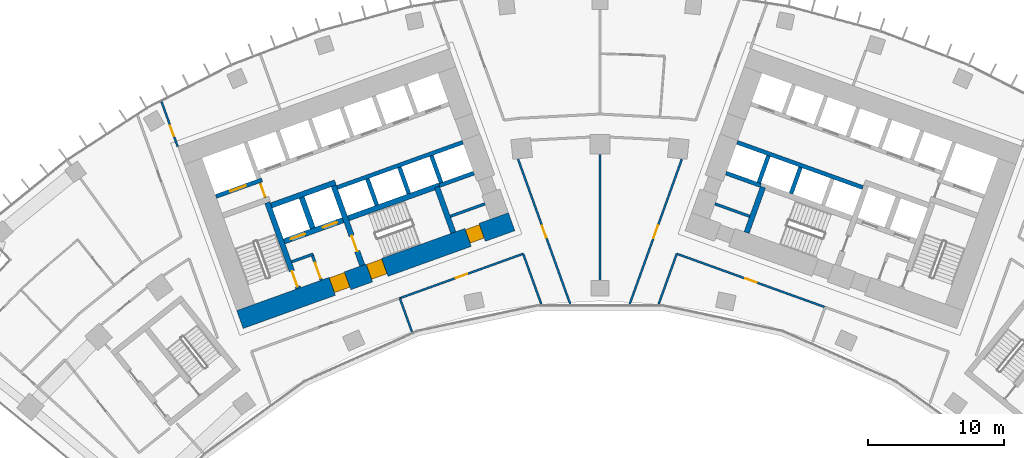
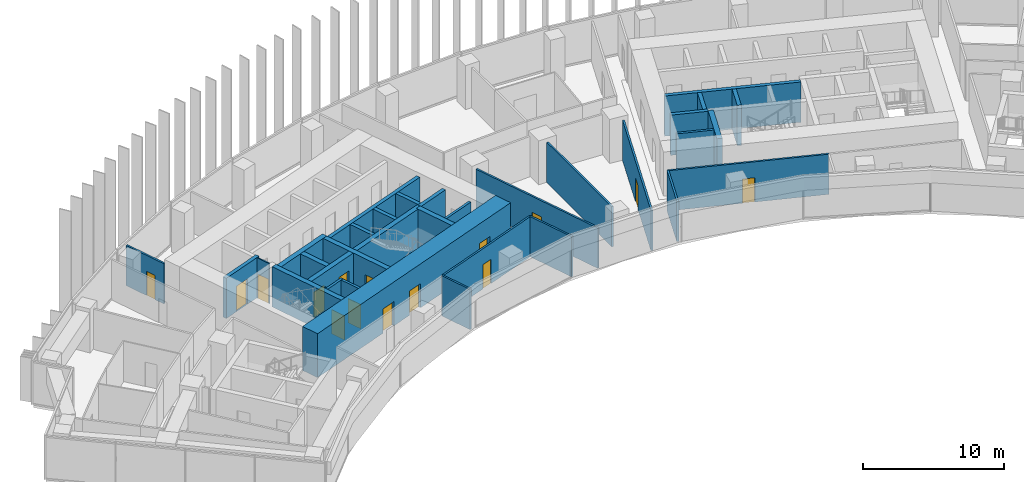
# One storey, part 16 of 22: 32 walls, 15 doors, 15 openings.
"""IFC4 building model written with IfcOpenShell, lengths in metres."""

import ifcopenshell
import ifcopenshell.guid

model = None  # the IFC model being written
_history = None  # IfcOwnerHistory: only IFC2X3 demands one
_inside = {}  # id of a spatial element -> (the spatial element, [elements in it])
_under = {}  # id of a project, library or spatial element -> (it, [spatial elements below it])
_declared = {}  # id of a project -> (the project, [libraries it declares])
_typed = {}  # id of a type object -> (the type object, [elements of that type])
_made_of = {}  # id of a material, layer set ... -> (it, [elements and type objects made of it])


def new_model(schema):
    """Start an empty IFC model of exactly this schema.

    Asked for "IFC4X3", IfcOpenShell would pick the latest addendum, in which some entities
    have other attributes; the version numbers below select the first issue.
    IFC2X3 requires an IfcOwnerHistory on every rooted entity: one is made here for all.
    """
    global model, _history
    if schema == "IFC4X3":
        model = ifcopenshell.file(schema_version=(4, 3, 0, 0))
    else:
        model = ifcopenshell.file(schema=schema)
    _inside.clear()
    _under.clear()
    _declared.clear()
    _typed.clear()
    _made_of.clear()
    _history = None
    if model.schema == "IFC2X3":
        org = make("IfcOrganization", Name="unknown")
        user = make(
            "IfcPersonAndOrganization",
            ThePerson=make("IfcPerson", FamilyName="unknown"),
            TheOrganization=org,
        )
        app = make(
            "IfcApplication",
            ApplicationDeveloper=org,
            Version="unknown",
            ApplicationFullName="unknown",
            ApplicationIdentifier="unknown",
        )
        _history = make(
            "IfcOwnerHistory",
            OwningUser=user,
            OwningApplication=app,
            ChangeAction="ADDED",
            CreationDate=0,
        )
    return model


def make(cls, **values):
    """One entity of the class cls with the attributes given. An attribute that is None is left unset."""
    return model.create_entity(
        cls, **{name: value for name, value in values.items() if value is not None}
    )


def rooted(cls, **values):
    """An entity with a GlobalId (a new one), such as an element, a storey or a relation."""
    return make(cls, GlobalId=ifcopenshell.guid.new(), OwnerHistory=_history, **values)


def si_unit(unit_type, name, prefix=None):
    """IfcSIUnit, for example si_unit("LENGTHUNIT", "METRE", prefix="MILLI")."""
    return make("IfcSIUnit", UnitType=unit_type, Prefix=prefix, Name=name)


def assignment(units):
    """IfcUnitAssignment: the units of a project."""
    return None if units is None else make("IfcUnitAssignment", Units=units)


def point(xyz):
    """IfcCartesianPoint."""
    return None if xyz is None else make("IfcCartesianPoint", Coordinates=xyz)


def direction(xyz):
    """IfcDirection."""
    return None if xyz is None else make("IfcDirection", DirectionRatios=xyz)


def frame(location, z_axis=None, x_axis=None):
    """IfcAxis2Placement3D, a coordinate frame: its origin and axes. An axis left out is left unset."""
    return make(
        "IfcAxis2Placement3D",
        Location=point(location),
        Axis=direction(z_axis),
        RefDirection=direction(x_axis),
    )


def frame_2d(location, x_axis=None):
    """IfcAxis2Placement2D, a coordinate frame in the plane: its origin and x axis."""
    return make(
        "IfcAxis2Placement2D", Location=point(location), RefDirection=direction(x_axis)
    )


def origin():
    """The frame at (0, 0, 0) with its axes left unset."""
    return frame((0.0, 0.0, 0.0))


def place(relative_to, where):
    """IfcLocalPlacement: puts the frame where relative to a parent placement (None: the world)."""
    return make(
        "IfcLocalPlacement", PlacementRelTo=relative_to, RelativePlacement=where
    )


def context(
    kind, dimensions, precision=None, world=None, true_north=None, identifier=None
):
    """IfcGeometricRepresentationContext, for example the 3D "Model" context."""
    return make(
        "IfcGeometricRepresentationContext",
        ContextIdentifier=identifier,
        ContextType=kind,
        CoordinateSpaceDimension=dimensions,
        Precision=precision,
        WorldCoordinateSystem=world,
        TrueNorth=true_north,
    )


def subcontext(parent, identifier, kind, view, scale=None):
    """IfcGeometricRepresentationSubContext, for example "Body" below "Model"."""
    return make(
        "IfcGeometricRepresentationSubContext",
        ContextIdentifier=identifier,
        ContextType=kind,
        ParentContext=parent,
        TargetScale=scale,
        TargetView=view,
    )


def project(units=None, contexts=None):
    """IfcProject with its units and contexts."""
    return rooted(
        "IfcProject",
        Name="project",
        RepresentationContexts=contexts,
        UnitsInContext=assignment(units),
    )


def spatial(cls, under=None, at=None, **own):
    """A site, building, storey or space (cls), placed at a placement, below another one or the project."""
    s = rooted(cls, ObjectPlacement=at, **own)
    if under is not None:
        _under.setdefault(under.id(), (under, []))[1].append(s)
    return s


def profile(cls, at=None, kind="AREA", **sizes):
    """A parametric profile (cls). Its sizes go by their IFC names, for example OverallWidth=200.0."""
    return make(cls, ProfileType=kind, Position=at, **sizes)


def rectangle(**sizes):
    """IfcRectangleProfileDef."""
    return profile("IfcRectangleProfileDef", **sizes)


def extrude(swept, where, along, depth):
    """IfcExtrudedAreaSolid: the profile swept, set in the frame where, extruded along a direction by depth."""
    return make(
        "IfcExtrudedAreaSolid",
        SweptArea=swept,
        Position=where,
        ExtrudedDirection=direction(along),
        Depth=depth,
    )


def shape(context_of_items, identifier, shape_type, items):
    """IfcShapeRepresentation: the items that make up one representation, for example the "Body"."""
    return make(
        "IfcShapeRepresentation",
        ContextOfItems=context_of_items,
        RepresentationIdentifier=identifier,
        RepresentationType=shape_type,
        Items=items,
    )


def material(Name=None, Category=None):
    """IfcMaterial."""
    return make("IfcMaterial", Name=Name, Category=Category)


def layer(
    of_material, thickness, ventilated=None, Name=None, Category=None, Priority=None
):
    """IfcMaterialLayer: one layer of a wall or slab, of a material (None: an air gap)."""
    return make(
        "IfcMaterialLayer",
        Material=of_material,
        LayerThickness=thickness,
        IsVentilated=ventilated,
        Name=Name,
        Category=Category,
        Priority=Priority,
    )


def layer_set(layers, Name=None):
    """IfcMaterialLayerSet."""
    return make("IfcMaterialLayerSet", MaterialLayers=layers, LayerSetName=Name)


def made_of(thing, what):
    """Note that an element or type object is made of a material, layer set ...; save() writes the relation."""
    if what is not None:
        _made_of.setdefault(what.id(), (what, []))[1].append(thing)
    return thing


def type_object(cls, material=None, **own):
    """A type object (cls), such as IfcWallType, which elements share."""
    return made_of(rooted(cls, **own), material)


def element(
    cls,
    number,
    at=None,
    inside=None,
    cuts=None,
    type_object=None,
    material=None,
    context=None,
    identifier="Body",
    shape_type=None,
    held_by="IfcProductDefinitionShape",
    body=None,
    shapes=None,
    **own,
):
    """One element of the class cls, such as IfcWall. Its Tag is "e" and its number.

    at: its placement. inside: the storey or other place that contains it. cuts: it is an
    opening in that element (IfcRelVoidsElement). A single representation is given by context,
    identifier, shape_type and body (its items); several are given by shapes. held_by: the class
    of the entity that holds the representations. save() writes the other relations.
    """
    e = rooted(cls, Tag="e%d" % number, ObjectPlacement=at, **own)
    if body is not None:
        shapes = [shape(context, identifier, shape_type, body)]
    if shapes is not None:
        e.Representation = make(held_by, Representations=shapes)
    if inside is not None:
        _inside.setdefault(inside.id(), (inside, []))[1].append(e)
    if cuts is not None:
        rooted(
            "IfcRelVoidsElement", RelatingBuildingElement=cuts, RelatedOpeningElement=e
        )
    if type_object is not None:
        _typed.setdefault(type_object.id(), (type_object, []))[1].append(e)
    return made_of(e, material)


def fill(opening, filler):
    """IfcRelFillsElement: the door or window that sits in an opening."""
    return rooted(
        "IfcRelFillsElement",
        RelatingOpeningElement=opening,
        RelatedBuildingElement=filler,
    )


def aggregate(whole, parts):
    """IfcRelAggregates: a whole, such as a stair, and the parts it consists of."""
    return rooted("IfcRelAggregates", RelatingObject=whole, RelatedObjects=parts)


def save(model, path):
    """Write the relations noted so far, then the file.

    IfcRelAggregates (storeys below a building ...), IfcRelContainedInSpatialStructure (elements
    in a storey), IfcRelDefinesByType, IfcRelAssociatesMaterial and IfcRelDeclares: one each for
    every whole, place, type object, material and project.
    """
    for whole, parts in _under.values():
        aggregate(whole, parts)
    for where, things in _inside.values():
        rooted(
            "IfcRelContainedInSpatialStructure",
            RelatedElements=things,
            RelatingStructure=where,
        )
    for kind, things in _typed.values():
        rooted("IfcRelDefinesByType", RelatedObjects=things, RelatingType=kind)
    for what, things in _made_of.values():
        rooted("IfcRelAssociatesMaterial", RelatedObjects=things, RelatingMaterial=what)
    for by, libraries in _declared.values():
        rooted("IfcRelDeclares", RelatingContext=by, RelatedDefinitions=libraries)
    model.write(path)


model = new_model("IFC4")

# Units and contexts
model_context = context("Model", 3, precision=1e-05, world=origin(), true_north=direction((0.0, 1.0)))
body_context = subcontext(model_context, "Body", "Model", "MODEL_VIEW")
ifc_project = project(units=[si_unit("LENGTHUNIT", "METRE"), si_unit("AREAUNIT", "SQUARE_METRE"), si_unit("VOLUMEUNIT", "CUBIC_METRE"), si_unit("PLANEANGLEUNIT", "RADIAN"), si_unit("MASSUNIT", "GRAM", prefix="KILO")], contexts=[model_context])

# Site, building, storey
site_placement = place(None, origin())
site = spatial("IfcSite", under=ifc_project, at=site_placement, CompositionType="ELEMENT")
building_placement = place(site_placement, origin())
building = spatial("IfcBuilding", under=site, at=building_placement, Name="Stone Belt Terrace Tower", CompositionType="ELEMENT")
storey_placement = place(building_placement, frame((0.0, 0.0, 109.800048828125)))
storey = spatial("IfcBuildingStorey", under=building, at=storey_placement, Name="L26", CompositionType="ELEMENT", Elevation=109.800048828125)

# Wall, opening, door
ifc_material_1 = material(Name="Plasterboard partition")
ifc_layer_1 = layer(ifc_material_1, 0.10009765625)
ifc_layer_set_1 = layer_set([ifc_layer_1], Name="Core partition 100")
wall_type_1 = type_object("IfcWallType", Name="Core partition 100", PredefinedType="PARTITIONING", material=ifc_layer_set_1)
wall_1_placement = place(storey_placement, frame((-24.555908203125, 51.10400390625, 0.0), z_axis=(0.0, 0.0, 1.0), x_axis=(-0.338621735342, 0.94092258999, 0.0)))
wall_1 = element("IfcWall", 1, at=wall_1_placement, inside=storey, type_object=wall_type_1, Name="Core A wall", PredefinedType="PARTITIONING", context=body_context, shape_type="SweptSolid", body=[
    extrude(rectangle(XDim=1.14990234375, YDim=0.10009765625, at=frame_2d((0.574951171875, 0.0))), origin(), (0.0, 0.0, 1.0), 3.47998046875),
])
opening_1_placement = place(wall_1_placement, frame((0.050048828125, 0.0, 0.0)))
opening_1 = element("IfcOpeningElement", 2, at=opening_1_placement, cuts=wall_1, Name="Opening L26-C01", PredefinedType="OPENING", context=body_context, shape_type="SweptSolid", body=[
    extrude(rectangle(XDim=1.0, YDim=2.10009765625, at=frame_2d((0.5, 1.050048828125))), frame((0.0, 0.06005859375, 0.0), z_axis=(0.0, -1.0, 0.0), x_axis=(1.0, 0.0, 0.0)), (0.0, 0.0, 1.0), 0.1201171875),
])
ifc_material_2 = material(Name="Timber door leaf", Category="wood")
door_type_1 = type_object("IfcDoorType", Name="Core room door 1000", OperationType="SINGLE_SWING_LEFT", PredefinedType="DOOR", material=ifc_material_2)
door_1_placement = place(opening_1_placement, origin())
door_1 = element("IfcDoor", 3, at=door_1_placement, inside=storey, type_object=door_type_1, Name="Service lift lobby door core A", OperationType="SINGLE_SWING_LEFT", OverallHeight=2.10009765625, OverallWidth=1.0, PredefinedType="DOOR", context=body_context, shape_type="SweptSolid", body=[
    extrude(rectangle(XDim=1.0, YDim=2.10009765625, at=frame_2d((0.5, 1.050048828125))), frame((0.0, 0.02490234375, 0.0), z_axis=(0.0, -1.0, 0.0), x_axis=(1.0, 0.0, 0.0)), (0.0, 0.0, 1.0), 0.050048828125),
])
fill(opening_1, door_1)

# Wall, openings, doors
ifc_material_3 = material(Name="Concrete B80", Category="concrete")
ifc_layer_2 = layer(ifc_material_3, 1.39990234375)
ifc_layer_set_2 = layer_set([ifc_layer_2], Name="Core wall 1400 B80")
wall_type_2 = type_object("IfcWallType", Name="Core wall 1400 B80", PredefinedType="SHEAR", material=ifc_layer_set_2)
wall_2_placement = place(storey_placement, frame((-26.430908203125, 42.139404296875, 0.0), z_axis=(0.0, 0.0, 1.0), x_axis=(0.940923374003, 0.33861955681, 0.0)))
wall_2 = element("IfcWall", 4, at=wall_2_placement, inside=storey, type_object=wall_type_2, Name="Core A wall concave L26", PredefinedType="SHEAR", context=body_context, shape_type="SweptSolid", body=[
    extrude(rectangle(XDim=21.199951171875, YDim=1.39990234375, at=frame_2d((10.60009765625, 0.0))), origin(), (0.0, 0.0, 1.0), 3.800048828125),
])
opening_2_placement = place(wall_2_placement, frame((7.199951171875, 0.0, 0.0)))
opening_2 = element("IfcOpeningElement", 5, at=opening_2_placement, cuts=wall_2, Name="Opening L26-C05", PredefinedType="OPENING", context=body_context, shape_type="SweptSolid", body=[
    extrude(rectangle(XDim=1.199951171875, YDim=2.10009765625, at=frame_2d((0.60009765625, 1.050048828125))), frame((0.0, 0.7099609375, 0.0), z_axis=(0.0, -1.0, 0.0), x_axis=(1.0, 0.0, 0.0)), (0.0, 0.0, 1.0), 1.419921875),
])
opening_3_placement = place(wall_2_placement, frame((10.099853515625, 0.0, 0.0)))
opening_3 = element("IfcOpeningElement", 6, at=opening_3_placement, cuts=wall_2, Name="Opening L26-C07", PredefinedType="OPENING", context=body_context, shape_type="SweptSolid", body=[
    extrude(rectangle(XDim=1.199951171875, YDim=2.10009765625, at=frame_2d((0.60009765625, 1.050048828125))), frame((0.0, 0.7099609375, 0.0), z_axis=(0.0, -1.0, 0.0), x_axis=(1.0, 0.0, 0.0)), (0.0, 0.0, 1.0), 1.419921875),
])
opening_4_placement = place(wall_2_placement, frame((17.800048828125, 0.0, 0.0)))
opening_4 = element("IfcOpeningElement", 7, at=opening_4_placement, cuts=wall_2, Name="Opening L26-C09", PredefinedType="OPENING", context=body_context, shape_type="SweptSolid", body=[
    extrude(rectangle(XDim=1.10009765625, YDim=2.10009765625, at=frame_2d((0.550048828125, 1.050048828125))), frame((0.0, 0.7099609375, 0.0), z_axis=(0.0, -1.0, 0.0), x_axis=(1.0, 0.0, 0.0)), (0.0, 0.0, 1.0), 1.419921875),
])
door_type_2 = type_object("IfcDoorType", Name="Core room door 1100", OperationType="SINGLE_SWING_LEFT", PredefinedType="DOOR", material=ifc_material_2)
door_2_placement = place(opening_4_placement, origin())
door_2 = element("IfcDoor", 8, at=door_2_placement, inside=storey, type_object=door_type_2, Name="Door to Pipe riser core A", OperationType="SINGLE_SWING_LEFT", OverallHeight=2.10009765625, OverallWidth=1.10009765625, PredefinedType="DOOR", context=body_context, shape_type="SweptSolid", body=[
    extrude(rectangle(XDim=1.10009765625, YDim=2.10009765625, at=frame_2d((0.550048828125, 1.050048828125))), frame((0.0, 0.60498046875, 0.0), z_axis=(0.0, -1.0, 0.0), x_axis=(1.0, 0.0, 0.0)), (0.0, 0.0, 1.0), 1.050048828125),
])
fill(opening_4, door_2)
ifc_material_4 = material(Name="Steel door leaf", Category="steel")
door_type_3 = type_object("IfcDoorType", Name="Fire-fighting lobby door 1200", OperationType="SINGLE_SWING_LEFT", PredefinedType="DOOR", material=ifc_material_4)
door_3_placement = place(opening_2_placement, origin())
door_3 = element("IfcDoor", 9, at=door_3_placement, inside=storey, type_object=door_type_3, Name="Fire-fighting lobby door core A", OperationType="SINGLE_SWING_LEFT", OverallHeight=2.10009765625, OverallWidth=1.199951171875, PredefinedType="DOOR", context=body_context, shape_type="SweptSolid", body=[
    extrude(rectangle(XDim=1.199951171875, YDim=2.10009765625, at=frame_2d((0.60009765625, 1.050048828125))), frame((0.0, 0.655029296875, 0.0), z_axis=(0.0, -1.0, 0.0), x_axis=(1.0, 0.0, 0.0)), (0.0, 0.0, 1.0), 1.14990234375),
])
fill(opening_2, door_3)
door_type_4 = type_object("IfcDoorType", Name="Stair door 1200", OperationType="SINGLE_SWING_LEFT", PredefinedType="DOOR", material=ifc_material_4)
door_4_placement = place(opening_3_placement, origin())
door_4 = element("IfcDoor", 10, at=door_4_placement, inside=storey, type_object=door_type_4, Name="Stair 2 exit door core A", OperationType="SINGLE_SWING_RIGHT", OverallHeight=2.10009765625, OverallWidth=1.199951171875, PredefinedType="DOOR", context=body_context, shape_type="SweptSolid", body=[
    extrude(rectangle(XDim=1.199951171875, YDim=2.10009765625, at=frame_2d((0.60009765625, 1.050048828125))), frame((0.0, 0.655029296875, 0.0), z_axis=(0.0, -1.0, 0.0), x_axis=(1.0, 0.0, 0.0)), (0.0, 0.0, 1.0), 1.14990234375),
])
fill(opening_3, door_4)

# Walls
ifc_layer_3 = layer(ifc_material_3, 0.39990234375)
ifc_layer_set_3 = layer_set([ifc_layer_3], Name="Fire-fighting lift shaft wall 400")
wall_type_3 = type_object("IfcWallType", Name="Fire-fighting lift shaft wall 400", PredefinedType="SHEAR", material=ifc_layer_set_3)
wall_3_placement = place(storey_placement, frame((-24.130615234375, 50.512939453125, 0.0), z_axis=(0.0, 0.0, 1.0), x_axis=(0.94091168377, 0.338652038744, 0.0)))
element("IfcWall", 11, at=wall_3_placement, inside=storey, type_object=wall_type_3, Name="Core A wall", PredefinedType="SHEAR", context=body_context, shape_type="SweptSolid", body=[
    extrude(rectangle(XDim=5.000244140625, YDim=0.39990234375, at=frame_2d((2.5, 0.0))), origin(), (0.0, 0.0, 1.0), 3.47998046875),
])
wall_4_placement = place(storey_placement, frame((-21.0859375, 48.845458984375, 0.0), z_axis=(0.0, 0.0, 1.0), x_axis=(-0.338629416206, 0.940919825745, 0.0)))
element("IfcWall", 12, at=wall_4_placement, inside=storey, type_object=wall_type_3, Name="Core A wall", PredefinedType="SHEAR", context=body_context, shape_type="SweptSolid", body=[
    extrude(rectangle(XDim=2.400146484375, YDim=0.39990234375, at=frame_2d((1.2001953125, 0.0))), origin(), (0.0, 0.0, 1.0), 3.47998046875),
])

# Wall, opening, door
ifc_layer_4 = layer(ifc_material_3, 0.300048828125)
ifc_layer_set_4 = layer_set([ifc_layer_4], Name="Lift shaft wall 300")
wall_type_4 = type_object("IfcWallType", Name="Lift shaft wall 300", PredefinedType="SHEAR", material=ifc_layer_set_4)
wall_5_placement = place(storey_placement, frame((-28.195068359375, 51.17578125, 0.0), z_axis=(0.0, 0.0, 1.0), x_axis=(0.940901243567, 0.338681044427, 0.0)))
wall_5 = element("IfcWall", 13, at=wall_5_placement, inside=storey, type_object=wall_type_4, Name="Core A wall", PredefinedType="SHEAR", context=body_context, shape_type="SweptSolid", body=[
    extrude(rectangle(XDim=3.599853515625, YDim=0.300048828125, at=frame_2d((1.7998046875, 0.0))), origin(), (0.0, 0.0, 1.0), 3.47998046875),
])
opening_5_placement = place(wall_5_placement, frame((1.1201171875, 0.0, 0.0)))
opening_5 = element("IfcOpeningElement", 14, at=opening_5_placement, cuts=wall_5, Name="Opening L26-LD09", PredefinedType="OPENING", context=body_context, shape_type="SweptSolid", body=[
    extrude(rectangle(XDim=1.199951171875, YDim=2.199951171875, at=frame_2d((0.60009765625, 1.10009765625))), frame((0.0, 0.159912109375, 0.0), z_axis=(0.0, -1.0, 0.0), x_axis=(1.0, 0.0, 0.0)), (0.0, 0.0, 1.0), 0.320068359375),
])
ifc_material_5 = material(Name="Stainless steel door leaf", Category="steel")
door_type_5 = type_object("IfcDoorType", Name="Landing door 1200", OperationType="SLIDING_TO_LEFT", PredefinedType="DOOR", material=ifc_material_5)
door_5_placement = place(opening_5_placement, origin())
door_5 = element("IfcDoor", 15, at=door_5_placement, inside=storey, type_object=door_type_5, Name="Landing door SV1 core A", OperationType="SLIDING_TO_LEFT", OverallHeight=2.199951171875, OverallWidth=1.199951171875, PredefinedType="DOOR", context=body_context, shape_type="SweptSolid", body=[
    extrude(rectangle(XDim=1.199951171875, YDim=2.199951171875, at=frame_2d((0.60009765625, 1.10009765625))), frame((0.0, 0.02490234375, 0.0), z_axis=(0.0, -1.0, 0.0), x_axis=(1.0, 0.0, 0.0)), (0.0, 0.0, 1.0), 0.050048828125),
])
fill(opening_5, door_5)

# Walls
wall_6_placement = place(storey_placement, frame((-19.29052734375, 51.829833984375, 0.0), z_axis=(0.0, 0.0, 1.0), x_axis=(0.940925833398, 0.338612722803, 0.0)))
element("IfcWall", 16, at=wall_6_placement, inside=storey, type_object=wall_type_4, Name="Core A wall", PredefinedType="SHEAR", context=body_context, shape_type="SweptSolid", body=[
    extrude(rectangle(XDim=9.7998046875, YDim=0.300048828125, at=frame_2d((4.89990234375, 0.0))), origin(), (0.0, 0.0, 1.0), 3.47998046875),
])
for number, where, z_axis, x_axis, name in (
    (17, (-16.38134765625, 50.53857421875, 0.0), (0.0, 0.0, 1.0), (-0.338681515556, 0.940901073982, 0.0), "Core A wall"),
    (18, (-14.029052734375, 51.38525390625, 0.0), (0.0, 0.0, 1.0), (-0.338681515556, 0.940901073982, 0.0), "Core A wall"),
):
    element("IfcWall", number, at=place(storey_placement, frame(where, z_axis=z_axis, x_axis=x_axis)), inside=storey, type_object=wall_type_4, Name=name, PredefinedType="SHEAR", context=body_context, shape_type="SweptSolid", body=[
        extrude(rectangle(XDim=2.050048828125, YDim=0.300048828125, at=frame_2d((1.02490234375, 0.0))), origin(), (0.0, 0.0, 1.0), 3.47998046875),
    ])
wall_7_placement = place(storey_placement, frame((-11.797119140625, 51.975830078125, 0.0), z_axis=(0.0, 0.0, 1.0), x_axis=(0.940910465161, 0.33865542451, 0.0)))
element("IfcWall", 19, at=wall_7_placement, inside=storey, type_object=wall_type_4, Name="Core A wall", PredefinedType="SHEAR", context=body_context, shape_type="SweptSolid", body=[
    extrude(rectangle(XDim=2.69970703125, YDim=0.300048828125, at=frame_2d((1.349853515625, 0.0))), origin(), (0.0, 0.0, 1.0), 3.47998046875),
])
wall_8_placement = place(storey_placement, frame((-11.659912109375, 52.184814453125, 0.0), z_axis=(0.0, 0.0, 1.0), x_axis=(-0.338670064856, 0.940905195634, 0.0)))
element("IfcWall", 20, at=wall_8_placement, inside=storey, type_object=wall_type_4, Name="Core A wall", PredefinedType="SHEAR", context=body_context, shape_type="SweptSolid", body=[
    extrude(rectangle(XDim=2.099853515625, YDim=0.300048828125, at=frame_2d((1.0498046875, 0.0))), origin(), (0.0, 0.0, 1.0), 3.47998046875),
])
wall_9_placement = place(storey_placement, frame((19.29052734375, 51.829833984375, 0.0), z_axis=(0.0, 0.0, 1.0), x_axis=(-0.940925833398, 0.338612722803, 0.0)))
element("IfcWall", 21, at=wall_9_placement, inside=storey, type_object=wall_type_4, Name="Core B wall", PredefinedType="SHEAR", context=body_context, shape_type="SweptSolid", body=[
    extrude(rectangle(XDim=9.7998046875, YDim=0.300048828125, at=frame_2d((4.89990234375, 0.0))), origin(), (0.0, 0.0, 1.0), 3.47998046875),
])
wall_10_placement = place(storey_placement, frame((14.029052734375, 51.38525390625, 0.0), z_axis=(0.0, 0.0, 1.0), x_axis=(0.338681515556, 0.940901073982, 0.0)))
element("IfcWall", 22, at=wall_10_placement, inside=storey, type_object=wall_type_4, Name="Core B wall", PredefinedType="SHEAR", context=body_context, shape_type="SweptSolid", body=[
    extrude(rectangle(XDim=2.050048828125, YDim=0.300048828125, at=frame_2d((1.02490234375, 0.0))), origin(), (0.0, 0.0, 1.0), 3.47998046875),
])
wall_11_placement = place(storey_placement, frame((11.797119140625, 51.975830078125, 0.0), z_axis=(0.0, 0.0, 1.0), x_axis=(-0.940910465161, 0.33865542451, 0.0)))
element("IfcWall", 23, at=wall_11_placement, inside=storey, type_object=wall_type_4, Name="Core B wall", PredefinedType="SHEAR", context=body_context, shape_type="SweptSolid", body=[
    extrude(rectangle(XDim=2.69970703125, YDim=0.300048828125, at=frame_2d((1.349853515625, 0.0))), origin(), (0.0, 0.0, 1.0), 3.47998046875),
])
wall_12_placement = place(storey_placement, frame((11.659912109375, 52.184814453125, 0.0), z_axis=(0.0, 0.0, 1.0), x_axis=(0.338670064856, 0.940905195634, 0.0)))
element("IfcWall", 24, at=wall_12_placement, inside=storey, type_object=wall_type_4, Name="Core B wall", PredefinedType="SHEAR", context=body_context, shape_type="SweptSolid", body=[
    extrude(rectangle(XDim=2.099853515625, YDim=0.300048828125, at=frame_2d((1.0498046875, 0.0))), origin(), (0.0, 0.0, 1.0), 3.47998046875),
])

# Wall, opening, door
ifc_material_6 = material(Name="Gypsum board partition")
ifc_layer_5 = layer(ifc_material_6, 0.14990234375)
ifc_layer_set_5 = layer_set([ifc_layer_5], Name="PARTITION 150 EI 60")
wall_type_5 = type_object("IfcWallType", Name="PARTITION 150 EI 60", PredefinedType="PARTITIONING", material=ifc_layer_set_5)
wall_13_placement = place(storey_placement, frame((-32.185791015625, 58.131103515625, 0.0), z_axis=(0.0, 0.0, 1.0), x_axis=(0.338662585219, -0.940907887826, 0.0)))
wall_13 = element("IfcWall", 25, at=wall_13_placement, inside=storey, type_object=wall_type_5, Name="L26/wall/i002", PredefinedType="PARTITIONING", context=body_context, shape_type="SweptSolid", body=[
    extrude(rectangle(XDim=3.49560546875, YDim=0.14990234375, at=frame_2d((1.747802734375, 0.0))), origin(), (0.0, 0.0, 1.0), 3.47998046875),
])
opening_6_placement = place(wall_13_placement, frame((1.871826171875, 0.0, 0.0)))
opening_6 = element("IfcOpeningElement", 26, at=opening_6_placement, cuts=wall_13, Name="Opening D-B3-03", PredefinedType="OPENING", context=body_context, shape_type="SweptSolid", body=[
    extrude(rectangle(XDim=0.800048828125, YDim=2.10009765625, at=frame_2d((0.39990234375, 1.050048828125))), frame((0.0, 0.0849609375, 0.0), z_axis=(0.0, -1.0, 0.0), x_axis=(1.0, 0.0, 0.0)), (0.0, 0.0, 1.0), 0.169921875),
])
door_type_6 = type_object("IfcDoorType", Name="STORE DOOR 800 X 2100", OperationType="NOTDEFINED", PredefinedType="DOOR", material=ifc_material_2)
door_6_placement = place(opening_6_placement, origin())
door_6 = element("IfcDoor", 27, at=door_6_placement, inside=storey, type_object=door_type_6, Name="L26/door/i03", OperationType="SINGLE_SWING_RIGHT", OverallHeight=2.10009765625, OverallWidth=0.800048828125, PredefinedType="DOOR", context=body_context, shape_type="SweptSolid", body=[
    extrude(rectangle(XDim=0.800048828125, YDim=2.10009765625, at=frame_2d((0.39990234375, 1.050048828125))), frame((0.0, 0.02490234375, 0.0), z_axis=(0.0, -1.0, 0.0), x_axis=(1.0, 0.0, 0.0)), (0.0, 0.0, 1.0), 0.050048828125),
])
fill(opening_6, door_6)

# Wall
wall_14_placement = place(storey_placement, frame((-4.31005859375, 43.27783203125, 0.0), z_axis=(0.0, 0.0, 1.0), x_axis=(-0.338490436495, 0.940969831823, 0.0)))
element("IfcWall", 28, at=wall_14_placement, inside=storey, type_object=wall_type_5, Name="L26/wall/i006", PredefinedType="PARTITIONING", context=body_context, shape_type="SweptSolid", body=[
    extrude(rectangle(XDim=3.92578125, YDim=0.14990234375, at=frame_2d((1.962890625, 0.0))), origin(), (0.0, 0.0, 1.0), 3.47998046875),
])

# Wall, opening, door
wall_15_placement = place(storey_placement, frame((-6.011962890625, 53.911865234375, 0.0), z_axis=(0.0, 0.0, 1.0), x_axis=(0.338656837626, -0.940909956547, 0.0)))
wall_15 = element("IfcWall", 29, at=wall_15_placement, inside=storey, type_object=wall_type_5, Name="L26/wall/i008", PredefinedType="PARTITIONING", context=body_context, shape_type="SweptSolid", body=[
    extrude(rectangle(XDim=11.319091796875, YDim=0.14990234375, at=frame_2d((5.65966796875, 0.0))), origin(), (0.0, 0.0, 1.0), 3.47998046875),
])
opening_7_placement = place(wall_15_placement, frame((5.20947265625, 0.0, 0.0)))
opening_7 = element("IfcOpeningElement", 30, at=opening_7_placement, cuts=wall_15, Name="Opening D-B3-26", PredefinedType="OPENING", context=body_context, shape_type="SweptSolid", body=[
    extrude(rectangle(XDim=0.89990234375, YDim=2.10009765625, at=frame_2d((0.449951171875, 1.050048828125))), frame((0.0, 0.0849609375, 0.0), z_axis=(0.0, -1.0, 0.0), x_axis=(1.0, 0.0, 0.0)), (0.0, 0.0, 1.0), 0.169921875),
])
door_type_7 = type_object("IfcDoorType", Name="OFFICE DOOR 900 X 2100", OperationType="NOTDEFINED", PredefinedType="DOOR", material=ifc_material_2)
door_7_placement = place(opening_7_placement, origin())
door_7 = element("IfcDoor", 31, at=door_7_placement, inside=storey, type_object=door_type_7, Name="L26/door/i26", OperationType="SINGLE_SWING_RIGHT", OverallHeight=2.10009765625, OverallWidth=0.89990234375, PredefinedType="DOOR", context=body_context, shape_type="SweptSolid", body=[
    extrude(rectangle(XDim=0.89990234375, YDim=2.10009765625, at=frame_2d((0.449951171875, 1.050048828125))), frame((0.0, 0.02490234375, 0.0), z_axis=(0.0, -1.0, 0.0), x_axis=(1.0, 0.0, 0.0)), (0.0, 0.0, 1.0), 0.050048828125),
])
fill(opening_7, door_7)

wall_16_placement = place(storey_placement, frame((-5.636962890625, 46.966064453125, 0.0), z_axis=(0.0, 0.0, 1.0), x_axis=(-0.940920049303, -0.338628795025, 0.0)))
wall_16 = element("IfcWall", 32, at=wall_16_placement, inside=storey, type_object=wall_type_5, Name="L26/wall/i011", PredefinedType="PARTITIONING", context=body_context, shape_type="SweptSolid", body=[
    extrude(rectangle(XDim=9.6298828125, YDim=0.14990234375, at=frame_2d((4.81494140625, 0.0))), origin(), (0.0, 0.0, 1.0), 3.47998046875),
])
opening_8_placement = place(wall_16_placement, frame((4.364990234375, 0.0, 0.0)))
opening_8 = element("IfcOpeningElement", 33, at=opening_8_placement, cuts=wall_16, Name="Opening D-B3-02", PredefinedType="OPENING", context=body_context, shape_type="SweptSolid", body=[
    extrude(rectangle(XDim=0.89990234375, YDim=2.10009765625, at=frame_2d((0.449951171875, 1.050048828125))), frame((0.0, 0.0849609375, 0.0), z_axis=(0.0, -1.0, 0.0), x_axis=(1.0, 0.0, 0.0)), (0.0, 0.0, 1.0), 0.169921875),
])
door_8_placement = place(opening_8_placement, origin())
door_8 = element("IfcDoor", 34, at=door_8_placement, inside=storey, type_object=door_type_7, Name="L26/door/i02", OperationType="SINGLE_SWING_RIGHT", OverallHeight=2.10009765625, OverallWidth=0.89990234375, PredefinedType="DOOR", context=body_context, shape_type="SweptSolid", body=[
    extrude(rectangle(XDim=0.89990234375, YDim=2.10009765625, at=frame_2d((0.449951171875, 1.050048828125))), frame((0.0, 0.02490234375, 0.0), z_axis=(0.0, -1.0, 0.0), x_axis=(1.0, 0.0, 0.0)), (0.0, 0.0, 1.0), 0.050048828125),
])
fill(opening_8, door_8)

# Walls
wall_17_placement = place(storey_placement, frame((-14.69189453125, 43.70703125, 0.0), z_axis=(0.0, 0.0, 1.0), x_axis=(0.338781932317, -0.940864922471, 0.0)))
element("IfcWall", 35, at=wall_17_placement, inside=storey, type_object=wall_type_5, Name="L26/wall/i012", PredefinedType="PARTITIONING", context=body_context, shape_type="SweptSolid", body=[
    extrude(rectangle(XDim=2.629638671875, YDim=0.14990234375, at=frame_2d((1.31494140625, 0.0))), origin(), (0.0, 0.0, 1.0), 3.47998046875),
])
wall_18_placement = place(storey_placement, frame((5.638916015625, 46.971923828125, 0.0), z_axis=(0.0, 0.0, 1.0), x_axis=(-0.338490436495, -0.940969831823, 0.0)))
element("IfcWall", 36, at=wall_18_placement, inside=storey, type_object=wall_type_5, Name="L26/wall/i014", PredefinedType="PARTITIONING", context=body_context, shape_type="SweptSolid", body=[
    extrude(rectangle(XDim=3.92578125, YDim=0.14990234375, at=frame_2d((1.962890625, 0.0))), origin(), (0.0, 0.0, 1.0), 3.47998046875),
])

# Wall, opening, door
wall_19_placement = place(storey_placement, frame((2.1787109375, 43.26171875, 0.0), z_axis=(0.0, 0.0, 1.0), x_axis=(0.338656837626, 0.940909956547, 0.0)))
wall_19 = element("IfcWall", 37, at=wall_19_placement, inside=storey, type_object=wall_type_5, Name="L26/wall/i016", PredefinedType="PARTITIONING", context=body_context, shape_type="SweptSolid", body=[
    extrude(rectangle(XDim=11.319091796875, YDim=0.14990234375, at=frame_2d((5.65966796875, 0.0))), origin(), (0.0, 0.0, 1.0), 3.47998046875),
])
opening_9_placement = place(wall_19_placement, frame((5.159423828125, 0.0, 0.0)))
opening_9 = element("IfcOpeningElement", 38, at=opening_9_placement, cuts=wall_19, Name="Opening D-B3-27", PredefinedType="OPENING", context=body_context, shape_type="SweptSolid", body=[
    extrude(rectangle(XDim=1.0, YDim=2.10009765625, at=frame_2d((0.5, 1.050048828125))), frame((0.0, 0.0849609375, 0.0), z_axis=(0.0, -1.0, 0.0), x_axis=(1.0, 0.0, 0.0)), (0.0, 0.0, 1.0), 0.169921875),
])
ifc_material_7 = material(Name="Timber fire door leaf", Category="wood")
door_type_8 = type_object("IfcDoorType", Name="TENANCY ENTRANCE DOOR 1000 X 2100", OperationType="NOTDEFINED", PredefinedType="DOOR", material=ifc_material_7)
door_9_placement = place(opening_9_placement, origin())
door_9 = element("IfcDoor", 39, at=door_9_placement, inside=storey, type_object=door_type_8, Name="L26/door/i27", OperationType="SINGLE_SWING_LEFT", OverallHeight=2.10009765625, OverallWidth=1.0, PredefinedType="DOOR", context=body_context, shape_type="SweptSolid", body=[
    extrude(rectangle(XDim=1.0, YDim=2.10009765625, at=frame_2d((0.5, 1.050048828125))), frame((0.0, 0.02490234375, 0.0), z_axis=(0.0, -1.0, 0.0), x_axis=(1.0, 0.0, 0.0)), (0.0, 0.0, 1.0), 0.050048828125),
])
fill(opening_9, door_9)

wall_20_placement = place(storey_placement, frame((16.534912109375, 43.0439453125, 0.0), z_axis=(0.0, 0.0, 1.0), x_axis=(-0.940918846989, 0.338632135778, 0.0)))
wall_20 = element("IfcWall", 40, at=wall_20_placement, inside=storey, type_object=wall_type_5, Name="L26/wall/i024", PredefinedType="PARTITIONING", context=body_context, shape_type="SweptSolid", body=[
    extrude(rectangle(XDim=11.582275390625, YDim=0.14990234375, at=frame_2d((5.791015625, 0.0))), origin(), (0.0, 0.0, 1.0), 3.47998046875),
])
opening_10_placement = place(wall_20_placement, frame((5.341064453125, 0.0, 0.0)))
opening_10 = element("IfcOpeningElement", 41, at=opening_10_placement, cuts=wall_20, Name="Opening D-B3-05", PredefinedType="OPENING", context=body_context, shape_type="SweptSolid", body=[
    extrude(rectangle(XDim=0.89990234375, YDim=2.10009765625, at=frame_2d((0.449951171875, 1.050048828125))), frame((0.0, 0.0849609375, 0.0), z_axis=(0.0, -1.0, 0.0), x_axis=(1.0, 0.0, 0.0)), (0.0, 0.0, 1.0), 0.169921875),
])
door_10_placement = place(opening_10_placement, origin())
door_10 = element("IfcDoor", 42, at=door_10_placement, inside=storey, type_object=door_type_7, Name="L26/door/i05", OperationType="SINGLE_SWING_RIGHT", OverallHeight=2.10009765625, OverallWidth=0.89990234375, PredefinedType="DOOR", context=body_context, shape_type="SweptSolid", body=[
    extrude(rectangle(XDim=0.89990234375, YDim=2.10009765625, at=frame_2d((0.449951171875, 1.050048828125))), frame((0.0, 0.02490234375, 0.0), z_axis=(0.0, -1.0, 0.0), x_axis=(1.0, 0.0, 0.0)), (0.0, 0.0, 1.0), 0.050048828125),
])
fill(opening_10, door_10)

# Walls
wall_21_placement = place(storey_placement, frame((0.0, 54.2451171875, 0.0), z_axis=(0.0, 0.0, 1.0), x_axis=(0.0, -1.0, 0.0)))
element("IfcWall", 43, at=wall_21_placement, inside=storey, type_object=wall_type_5, Name="L26/wall/i090", PredefinedType="PARTITIONING", context=body_context, shape_type="SweptSolid", body=[
    extrude(rectangle(XDim=9.195068359375, YDim=0.14990234375, at=frame_2d((4.59765625, 0.0))), origin(), (0.0, 0.0, 1.0), 3.47998046875),
])
ifc_material_8 = material(Name="Concrete masonry block", Category="masonry")
ifc_layer_6 = layer(ifc_material_8, 0.199951171875)
ifc_layer_set_6 = layer_set([ifc_layer_6], Name="Rated lobby wall 200")
wall_type_6 = type_object("IfcWallType", Name="Rated lobby wall 200", PredefinedType="PARTITIONING", material=ifc_layer_set_6)
wall_22_placement = place(storey_placement, frame((-22.640625, 46.373046875, 0.0), z_axis=(0.0, 0.0, 1.0), x_axis=(0.940966110313, 0.338500781747, 0.0)))
element("IfcWall", 44, at=wall_22_placement, inside=storey, type_object=wall_type_6, Name="Core A wall", PredefinedType="PARTITIONING", context=body_context, shape_type="SweptSolid", body=[
    extrude(rectangle(XDim=1.699951171875, YDim=0.199951171875, at=frame_2d((0.85009765625, 0.0))), origin(), (0.0, 0.0, 1.0), 3.47998046875),
])

# Wall, opening, door
wall_23_placement = place(storey_placement, frame((-20.4580078125, 45.032958984375, 0.0), z_axis=(0.0, 0.0, 1.0), x_axis=(-0.338573865316, 0.940939816208, 0.0)))
wall_23 = element("IfcWall", 45, at=wall_23_placement, inside=storey, type_object=wall_type_6, Name="Core A wall", PredefinedType="PARTITIONING", context=body_context, shape_type="SweptSolid", body=[
    extrude(rectangle(XDim=1.900146484375, YDim=0.199951171875, at=frame_2d((0.9501953125, 0.0))), origin(), (0.0, 0.0, 1.0), 3.47998046875),
])
opening_11_placement = place(wall_23_placement, frame((0.14990234375, 0.0, 0.0)))
opening_11 = element("IfcOpeningElement", 46, at=opening_11_placement, cuts=wall_23, Name="Opening L26-C04", PredefinedType="OPENING", context=body_context, shape_type="SweptSolid", body=[
    extrude(rectangle(XDim=1.199951171875, YDim=2.10009765625, at=frame_2d((0.60009765625, 1.050048828125))), frame((0.0, 0.10986328125, 0.0), z_axis=(0.0, -1.0, 0.0), x_axis=(1.0, 0.0, 0.0)), (0.0, 0.0, 1.0), 0.219970703125),
])
door_11_placement = place(opening_11_placement, origin())
door_11 = element("IfcDoor", 47, at=door_11_placement, inside=storey, type_object=door_type_4, Name="Stair airlock door core A", OperationType="SINGLE_SWING_LEFT", OverallHeight=2.10009765625, OverallWidth=1.199951171875, PredefinedType="DOOR", context=body_context, shape_type="SweptSolid", body=[
    extrude(rectangle(XDim=1.199951171875, YDim=2.10009765625, at=frame_2d((0.60009765625, 1.050048828125))), frame((0.0, 0.02490234375, 0.0), z_axis=(0.0, -1.0, 0.0), x_axis=(1.0, 0.0, 0.0)), (0.0, 0.0, 1.0), 0.050048828125),
])
fill(opening_11, door_11)

# Walls
for number, where, z_axis, x_axis, name in (
    (48, (-10.984619140625, 49.717529296875, 0.0), (0.0, 0.0, 1.0), (0.940920834877, 0.338626612206, 0.0), "Core A wall"),
    (49, (10.984619140625, 49.717529296875, 0.0), (0.0, 0.0, 1.0), (-0.940920834877, 0.338626612206, 0.0), "Core B wall"),
):
    element("IfcWall", number, at=place(storey_placement, frame(where, z_axis=z_axis, x_axis=x_axis)), inside=storey, type_object=wall_type_6, Name=name, PredefinedType="PARTITIONING", context=body_context, shape_type="SweptSolid", body=[
        extrude(rectangle(XDim=2.699951171875, YDim=0.199951171875, at=frame_2d((1.35009765625, 0.0))), origin(), (0.0, 0.0, 1.0), 3.47998046875),
    ])

# Wall, opening, door
ifc_layer_7 = layer(ifc_material_3, 0.39990234375)
ifc_layer_set_7 = layer_set([ifc_layer_7], Name="Stair enclosure wall 400")
wall_type_7 = type_object("IfcWallType", Name="Stair enclosure wall 400", PredefinedType="SHEAR", material=ifc_layer_set_7)
wall_24_placement = place(storey_placement, frame((-22.151611328125, 44.42333984375, 0.0), z_axis=(0.0, 0.0, 1.0), x_axis=(-0.338625272931, 0.940921316866, 0.0)))
wall_24 = element("IfcWall", 50, at=wall_24_placement, inside=storey, type_object=wall_type_7, Name="Core A wall", PredefinedType="SHEAR", context=body_context, shape_type="SweptSolid", body=[
    extrude(rectangle(XDim=6.699951171875, YDim=0.39990234375, at=frame_2d((3.35009765625, 0.0))), origin(), (0.0, 0.0, 1.0), 3.47998046875),
])
opening_12_placement = place(wall_24_placement, frame((0.14990234375, 0.0, 0.0)))
opening_12 = element("IfcOpeningElement", 51, at=opening_12_placement, cuts=wall_24, Name="Opening L26-C03", PredefinedType="OPENING", context=body_context, shape_type="SweptSolid", body=[
    extrude(rectangle(XDim=1.199951171875, YDim=2.10009765625, at=frame_2d((0.60009765625, 1.050048828125))), frame((0.0, 0.2099609375, 0.0), z_axis=(0.0, -1.0, 0.0), x_axis=(1.0, 0.0, 0.0)), (0.0, 0.0, 1.0), 0.419921875),
])
door_12_placement = place(opening_12_placement, origin())
door_12 = element("IfcDoor", 52, at=door_12_placement, inside=storey, type_object=door_type_4, Name="Stair 1 door core A", OperationType="SINGLE_SWING_LEFT", OverallHeight=2.10009765625, OverallWidth=1.199951171875, PredefinedType="DOOR", context=body_context, shape_type="SweptSolid", body=[
    extrude(rectangle(XDim=1.199951171875, YDim=2.10009765625, at=frame_2d((0.60009765625, 1.050048828125))), frame((0.0, 0.02490234375, 0.0), z_axis=(0.0, -1.0, 0.0), x_axis=(1.0, 0.0, 0.0)), (0.0, 0.0, 1.0), 0.050048828125),
])
fill(opening_12, door_12)

# Wall, openings, doors
wall_25_placement = place(storey_placement, frame((-23.182373046875, 47.87841796875, 0.0), z_axis=(0.0, 0.0, 1.0), x_axis=(0.940921101762, 0.338625870628, 0.0)))
wall_25 = element("IfcWall", 53, at=wall_25_placement, inside=storey, type_object=wall_type_7, Name="Core A wall", PredefinedType="SHEAR", context=body_context, shape_type="SweptSolid", body=[
    extrude(rectangle(XDim=12.10009765625, YDim=0.39990234375, at=frame_2d((6.050048828125, 0.0))), origin(), (0.0, 0.0, 1.0), 3.47998046875),
])
opening_13_placement = place(wall_25_placement, frame((0.52001953125, 0.0, 0.0)))
opening_13 = element("IfcOpeningElement", 54, at=opening_13_placement, cuts=wall_25, Name="Opening L26-LD07", PredefinedType="OPENING", context=body_context, shape_type="SweptSolid", body=[
    extrude(rectangle(XDim=1.10009765625, YDim=2.199951171875, at=frame_2d((0.550048828125, 1.10009765625))), frame((0.0, 0.2099609375, 0.0), z_axis=(0.0, -1.0, 0.0), x_axis=(1.0, 0.0, 0.0)), (0.0, 0.0, 1.0), 0.419921875),
])
opening_14_placement = place(wall_25_placement, frame((3.02001953125, 0.0, 0.0)))
opening_14 = element("IfcOpeningElement", 55, at=opening_14_placement, cuts=wall_25, Name="Opening L26-LD08", PredefinedType="OPENING", context=body_context, shape_type="SweptSolid", body=[
    extrude(rectangle(XDim=1.10009765625, YDim=2.199951171875, at=frame_2d((0.550048828125, 1.10009765625))), frame((0.0, 0.2099609375, 0.0), z_axis=(0.0, -1.0, 0.0), x_axis=(1.0, 0.0, 0.0)), (0.0, 0.0, 1.0), 0.419921875),
])
door_type_9 = type_object("IfcDoorType", Name="Landing door 1100", OperationType="SLIDING_TO_LEFT", PredefinedType="DOOR", material=ifc_material_5)
door_13_placement = place(opening_13_placement, origin())
door_13 = element("IfcDoor", 56, at=door_13_placement, inside=storey, type_object=door_type_9, Name="Landing door FF1 core A", OperationType="SLIDING_TO_LEFT", OverallHeight=2.199951171875, OverallWidth=1.10009765625, PredefinedType="DOOR", context=body_context, shape_type="SweptSolid", body=[
    extrude(rectangle(XDim=1.10009765625, YDim=2.199951171875, at=frame_2d((0.550048828125, 1.10009765625))), frame((0.0, 0.02490234375, 0.0), z_axis=(0.0, -1.0, 0.0), x_axis=(1.0, 0.0, 0.0)), (0.0, 0.0, 1.0), 0.050048828125),
])
fill(opening_13, door_13)
door_14_placement = place(opening_14_placement, origin())
door_14 = element("IfcDoor", 57, at=door_14_placement, inside=storey, type_object=door_type_9, Name="Landing door FF2 core A", OperationType="SLIDING_TO_LEFT", OverallHeight=2.199951171875, OverallWidth=1.10009765625, PredefinedType="DOOR", context=body_context, shape_type="SweptSolid", body=[
    extrude(rectangle(XDim=1.10009765625, YDim=2.199951171875, at=frame_2d((0.550048828125, 1.10009765625))), frame((0.0, 0.02490234375, 0.0), z_axis=(0.0, -1.0, 0.0), x_axis=(1.0, 0.0, 0.0)), (0.0, 0.0, 1.0), 0.050048828125),
])
fill(opening_14, door_14)

# Wall, opening, door
wall_26_placement = place(storey_placement, frame((-17.447021484375, 46.116455078125, 0.0), z_axis=(0.0, 0.0, 1.0), x_axis=(-0.33860791464, 0.940927563707, 0.0)))
wall_26 = element("IfcWall", 58, at=wall_26_placement, inside=storey, type_object=wall_type_7, Name="Core A wall", PredefinedType="SHEAR", context=body_context, shape_type="SweptSolid", body=[
    extrude(rectangle(XDim=6.199951171875, YDim=0.39990234375, at=frame_2d((3.10009765625, 0.0))), origin(), (0.0, 0.0, 1.0), 3.47998046875),
])
opening_15_placement = place(wall_26_placement, frame((1.10009765625, 0.0, 0.0)))
opening_15 = element("IfcOpeningElement", 59, at=opening_15_placement, cuts=wall_26, Name="Opening L26-C06", PredefinedType="OPENING", context=body_context, shape_type="SweptSolid", body=[
    extrude(rectangle(XDim=1.199951171875, YDim=2.10009765625, at=frame_2d((0.60009765625, 1.050048828125))), frame((0.0, 0.2099609375, 0.0), z_axis=(0.0, -1.0, 0.0), x_axis=(1.0, 0.0, 0.0)), (0.0, 0.0, 1.0), 0.419921875),
])
door_15_placement = place(opening_15_placement, origin())
door_15 = element("IfcDoor", 60, at=door_15_placement, inside=storey, type_object=door_type_4, Name="Stair 2 door core A", OperationType="SINGLE_SWING_LEFT", OverallHeight=2.10009765625, OverallWidth=1.199951171875, PredefinedType="DOOR", context=body_context, shape_type="SweptSolid", body=[
    extrude(rectangle(XDim=1.199951171875, YDim=2.10009765625, at=frame_2d((0.60009765625, 1.050048828125))), frame((0.0, 0.02490234375, 0.0), z_axis=(0.0, -1.0, 0.0), x_axis=(1.0, 0.0, 0.0)), (0.0, 0.0, 1.0), 0.050048828125),
])
fill(opening_15, door_15)

# Walls
for number, where, z_axis, x_axis, name in (
    (61, (-10.766357421875, 48.520751953125, 0.0), (0.0, 0.0, 1.0), (-0.338626928157, 0.94092072117, 0.0), "Core A wall"),
    (62, (10.766357421875, 48.520751953125, 0.0), (0.0, 0.0, 1.0), (0.338626928157, 0.94092072117, 0.0), "Core B wall"),
):
    element("IfcWall", number, at=place(storey_placement, frame(where, z_axis=z_axis, x_axis=x_axis)), inside=storey, type_object=wall_type_7, Name=name, PredefinedType="SHEAR", context=body_context, shape_type="SweptSolid", body=[
        extrude(rectangle(XDim=3.550048828125, YDim=0.39990234375, at=frame_2d((1.77490234375, 0.0))), origin(), (0.0, 0.0, 1.0), 3.47998046875),
    ])

save(model, "model.ifc")
